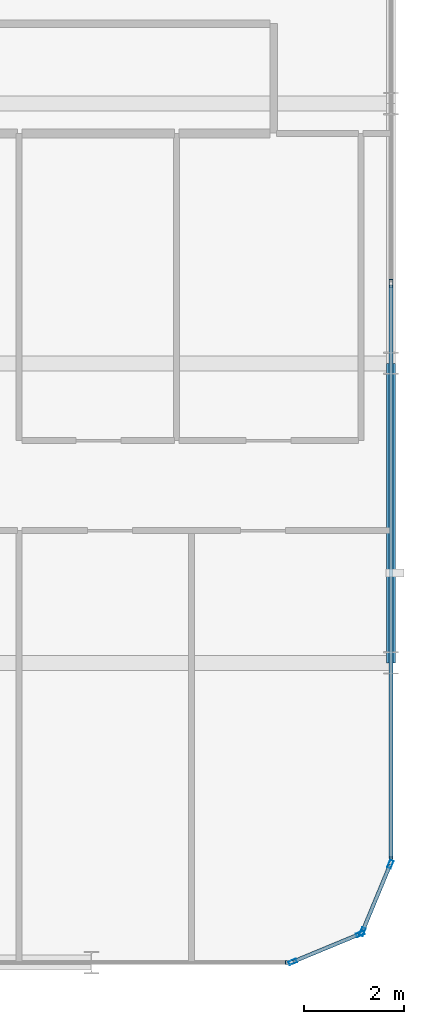
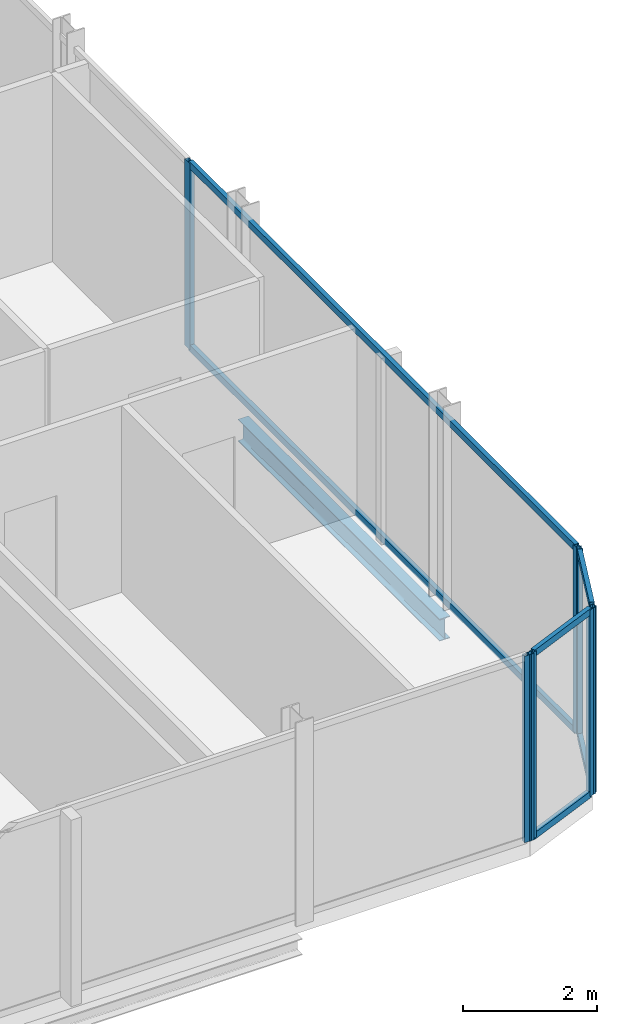
# One storey, part 12 of 29: 13 members, 1 beam, 4 elements without a shape of their own.
"""IFC4 building model written with IfcOpenShell, lengths in metres."""

from ifc_helpers import new_model, si_unit, direction, frame, origin, origin_2d, place, context, subcontext, project, spatial, hollow_rectangle, i_section, extrude, material, layer, layer_set, material_profile, profile_set, type_object, element, aggregate, save


model = new_model("IFC4")

# Units and contexts
model_context = context("Model", 3, precision=1e-05, world=origin(), true_north=direction((0.0, 1.0)))
body_context = subcontext(model_context, "Body", "Model", "MODEL_VIEW")
ifc_project = project(units=[si_unit("LENGTHUNIT", "METRE"), si_unit("AREAUNIT", "SQUARE_METRE"), si_unit("VOLUMEUNIT", "CUBIC_METRE"), si_unit("PLANEANGLEUNIT", "RADIAN"), si_unit("MASSUNIT", "GRAM", prefix="KILO")], contexts=[model_context])

# Site, building, storey
site_placement = place(None, origin())
site = spatial("IfcSite", under=ifc_project, at=site_placement, CompositionType="ELEMENT")
building_placement = place(site_placement, origin())
building = spatial("IfcBuilding", under=site, at=building_placement, Name="Keshet Zoharim Tower", CompositionType="ELEMENT")
storey_placement = place(building_placement, frame((0.0, 0.0, 172.800048828125)))
storey = spatial("IfcBuildingStorey", under=building, at=storey_placement, Name="L42", CompositionType="ELEMENT", Elevation=172.800048828125)

# Beam
ifc_material_1 = material(Name="Steel S355", Category="steel")
ifc_material_profile_1 = material_profile(ifc_material_1, i_section(OverallWidth=0.179931640625, OverallDepth=0.39990234375, WebThickness=0.008544921875, FlangeThickness=0.013427734375, FilletRadius=0.02099609375, at=origin_2d()), Name="IPE400")
ifc_profile_set_1 = profile_set([ifc_material_profile_1], Name="Steel S355")
beam_type = type_object("IfcBeamType", Name="BM-PRI-IP400", PredefinedType="BEAM", material=ifc_profile_set_1)
beam_placement = place(storey_placement, frame((57.0, 6.699951171875, -0.510009765625), z_axis=(0.0, 1.0, 0.0), x_axis=(-1.0, 0.0, 0.0)))
element("IfcBeam", 1, at=beam_placement, inside=storey, type_object=beam_type, Name="L42 Primary Girder Y-013", PredefinedType="BEAM", context=body_context, shape_type="SweptSolid", body=[
    extrude(i_section(OverallWidth=0.179931640625, OverallDepth=0.39990234375, WebThickness=0.008544921875, FlangeThickness=0.013427734375, FilletRadius=0.02099609375, at=origin_2d()), origin(), (0.0, 0.0, 1.0), 6.0),
])

# Curtain wall, members
ifc_material_2 = material(Name="Aluminium 6063-T6", Category="aluminium")
ifc_layer = layer(ifc_material_2, 0.139892578125)
ifc_layer_set = layer_set([ifc_layer], Name="Aluminium 6063-T6")
curtain_wall_type = type_object("IfcCurtainWallType", Name="CW-SYS-05", PredefinedType="NOTDEFINED", material=ifc_layer_set)
curtain_wall_1_placement = place(storey_placement, origin())
curtain_wall_1 = element("IfcCurtainWall", 2, at=curtain_wall_1_placement, inside=storey, type_object=curtain_wall_type, Name="L42 Unitised Curtain Wall 03", PredefinedType="NOTDEFINED")
ifc_material_profile_2 = material_profile(ifc_material_2, hollow_rectangle(XDim=0.074951171875, YDim=0.159912109375, WallThickness=0.00390625, at=origin_2d()), Name="MUL-75x160")
ifc_profile_set_2 = profile_set([ifc_material_profile_2], Name="Aluminium 6063-T6")
member_type_1 = type_object("IfcMemberType", Name="CWM-M15", PredefinedType="MULLION", material=ifc_profile_set_2)
member_1_placement = place(storey_placement, frame((57.0, 14.300048828125, 0.0), z_axis=(0.0, 0.0, 1.0), x_axis=(1.0, 0.0, 0.0)))
member_1 = element("IfcMember", 3, at=member_1_placement, type_object=member_type_1, Name="CW-05 mullion 2", PredefinedType="MULLION", context=body_context, shape_type="SweptSolid", body=[
    extrude(hollow_rectangle(XDim=0.074951171875, YDim=0.159912109375, WallThickness=0.00390625, at=origin_2d()), origin(), (0.0, 0.0, 1.0), 3.389892578125),
])
member_2_placement = place(storey_placement, frame((57.0, 2.735107421875, 0.0), z_axis=(0.0, 0.0, 1.0), x_axis=(1.0, 0.0, 0.0)))
member_2 = element("IfcMember", 4, at=member_2_placement, type_object=member_type_1, Name="CW-05 mullion 3", PredefinedType="MULLION", context=body_context, shape_type="SweptSolid", body=[
    extrude(hollow_rectangle(XDim=0.074951171875, YDim=0.159912109375, WallThickness=0.00390625, at=origin_2d()), origin(), (0.0, 0.0, 1.0), 3.389892578125),
])

curtain_wall_2_placement = place(storey_placement, origin())
curtain_wall_2 = element("IfcCurtainWall", 5, at=curtain_wall_2_placement, inside=storey, type_object=curtain_wall_type, Name="L42 Unitised Curtain Wall 04", PredefinedType="NOTDEFINED")
member_3_placement = place(storey_placement, frame((56.986572265625, 2.667724609375, 0.0), z_axis=(0.0, 0.0, 1.0), x_axis=(0.92380975372, -0.382851849847, 0.0)))
member_3 = element("IfcMember", 6, at=member_3_placement, type_object=member_type_1, Name="CW-05 mullion 1", PredefinedType="MULLION", context=body_context, shape_type="SweptSolid", body=[
    extrude(hollow_rectangle(XDim=0.074951171875, YDim=0.159912109375, WallThickness=0.00390625, at=origin_2d()), origin(), (0.0, 0.0, 1.0), 3.389892578125),
])
member_4_placement = place(storey_placement, frame((56.427490234375, 1.318359375, 0.0), z_axis=(0.0, 0.0, 1.0), x_axis=(0.92380975372, -0.382851849847, 0.0)))
member_4 = element("IfcMember", 7, at=member_4_placement, type_object=member_type_1, Name="CW-05 mullion 2", PredefinedType="MULLION", context=body_context, shape_type="SweptSolid", body=[
    extrude(hollow_rectangle(XDim=0.074951171875, YDim=0.159912109375, WallThickness=0.00390625, at=origin_2d()), origin(), (0.0, 0.0, 1.0), 3.389892578125),
])

curtain_wall_3_placement = place(storey_placement, origin())
curtain_wall_3 = element("IfcCurtainWall", 8, at=curtain_wall_3_placement, inside=storey, type_object=curtain_wall_type, Name="L42 Unitised Curtain Wall 05", PredefinedType="NOTDEFINED")
member_5_placement = place(storey_placement, frame((56.381591796875, 1.272705078125, 0.0), z_axis=(0.0, 0.0, 1.0), x_axis=(0.382851849847, -0.92380975372, 0.0)))
member_5 = element("IfcMember", 9, at=member_5_placement, type_object=member_type_1, Name="CW-05 mullion 1", PredefinedType="MULLION", context=body_context, shape_type="SweptSolid", body=[
    extrude(hollow_rectangle(XDim=0.074951171875, YDim=0.159912109375, WallThickness=0.00390625, at=origin_2d()), origin(), (0.0, 0.0, 1.0), 3.389892578125),
])
member_6_placement = place(storey_placement, frame((55.0322265625, 0.71337890625, 0.0), z_axis=(0.0, 0.0, 1.0), x_axis=(0.382851849847, -0.92380975372, 0.0)))
member_6 = element("IfcMember", 10, at=member_6_placement, type_object=member_type_1, Name="CW-05 mullion 2", PredefinedType="MULLION", context=body_context, shape_type="SweptSolid", body=[
    extrude(hollow_rectangle(XDim=0.074951171875, YDim=0.159912109375, WallThickness=0.00390625, at=origin_2d()), origin(), (0.0, 0.0, 1.0), 3.389892578125),
])

# Curtain wall, member
curtain_wall_4_placement = place(storey_placement, origin())
curtain_wall_4 = element("IfcCurtainWall", 11, at=curtain_wall_4_placement, inside=storey, type_object=curtain_wall_type, Name="L42 Unitised Curtain Wall 06", PredefinedType="NOTDEFINED")
member_7_placement = place(storey_placement, frame((54.965087890625, 0.699951171875, 0.0), z_axis=(0.0, 0.0, 1.0), x_axis=(0.0, -1.0, 0.0)))
member_7 = element("IfcMember", 12, at=member_7_placement, type_object=member_type_1, Name="CW-05 mullion 1", PredefinedType="MULLION", context=body_context, shape_type="SweptSolid", body=[
    extrude(hollow_rectangle(XDim=0.074951171875, YDim=0.159912109375, WallThickness=0.00390625, at=origin_2d()), origin(), (0.0, 0.0, 1.0), 3.389892578125),
])
aggregate(curtain_wall_4, [member_7])

# Member
ifc_material_profile_3 = material_profile(ifc_material_2, hollow_rectangle(XDim=0.074951171875, YDim=0.1201171875, WallThickness=0.00390625, at=origin_2d()), Name="TRN-75x120")
ifc_profile_set_3 = profile_set([ifc_material_profile_3], Name="Aluminium 6063-T6")
member_type_2 = type_object("IfcMemberType", Name="CWT-T12", PredefinedType="USERDEFINED", material=ifc_profile_set_3)
member_8_placement = place(storey_placement, frame((57.0, 14.264892578125, 0.034912109375), z_axis=(0.0, -1.0, 0.0), x_axis=(1.0, 0.0, 0.0)))
member_8 = element("IfcMember", 13, at=member_8_placement, type_object=member_type_2, Name="CW-05 transom 2.1", ObjectType="TRANSOM", PredefinedType="USERDEFINED", context=body_context, shape_type="SweptSolid", body=[
    extrude(hollow_rectangle(XDim=0.074951171875, YDim=0.1201171875, WallThickness=0.00390625, at=origin_2d()), origin(), (0.0, 0.0, 1.0), 11.494873046875),
])

member_9_placement = place(storey_placement, frame((57.0, 14.264892578125, 3.35498046875), z_axis=(0.0, -1.0, 0.0), x_axis=(1.0, 0.0, 0.0)))
member_9 = element("IfcMember", 14, at=member_9_placement, type_object=member_type_2, Name="CW-05 transom 2.2", ObjectType="TRANSOM", PredefinedType="USERDEFINED", context=body_context, shape_type="SweptSolid", body=[
    extrude(hollow_rectangle(XDim=0.074951171875, YDim=0.1201171875, WallThickness=0.00390625, at=origin_2d()), origin(), (0.0, 0.0, 1.0), 11.494873046875),
])

aggregate(curtain_wall_1, [member_1, member_2, member_8, member_9])

member_10_placement = place(storey_placement, frame((56.97314453125, 2.63525390625, 0.034912109375), z_axis=(-0.382744609247, -0.923854189844, 0.0), x_axis=(0.923854189844, -0.382744609247, 0.0)))
member_10 = element("IfcMember", 15, at=member_10_placement, type_object=member_type_2, Name="CW-05 transom 1.1", ObjectType="TRANSOM", PredefinedType="USERDEFINED", context=body_context, shape_type="SweptSolid", body=[
    extrude(hollow_rectangle(XDim=0.074951171875, YDim=0.1201171875, WallThickness=0.00390625, at=origin_2d()), origin(), (0.0, 0.0, 1.0), 1.390625),
])

member_11_placement = place(storey_placement, frame((56.97314453125, 2.63525390625, 3.35498046875), z_axis=(-0.382744609247, -0.923854189844, 0.0), x_axis=(0.923854189844, -0.382744609247, 0.0)))
member_11 = element("IfcMember", 16, at=member_11_placement, type_object=member_type_2, Name="CW-05 transom 1.2", ObjectType="TRANSOM", PredefinedType="USERDEFINED", context=body_context, shape_type="SweptSolid", body=[
    extrude(hollow_rectangle(XDim=0.074951171875, YDim=0.1201171875, WallThickness=0.00390625, at=origin_2d()), origin(), (0.0, 0.0, 1.0), 1.390625),
])

aggregate(curtain_wall_2, [member_3, member_4, member_10, member_11])

member_12_placement = place(storey_placement, frame((56.349365234375, 1.25927734375, 0.034912109375), z_axis=(-0.92379209995, -0.382894445076, 0.0), x_axis=(0.382894445076, -0.92379209995, 0.0)))
member_12 = element("IfcMember", 17, at=member_12_placement, type_object=member_type_2, Name="CW-05 transom 1.1", ObjectType="TRANSOM", PredefinedType="USERDEFINED", context=body_context, shape_type="SweptSolid", body=[
    extrude(hollow_rectangle(XDim=0.074951171875, YDim=0.1201171875, WallThickness=0.00390625, at=origin_2d()), origin(), (0.0, 0.0, 1.0), 1.390625),
])

member_13_placement = place(storey_placement, frame((56.349365234375, 1.25927734375, 3.35498046875), z_axis=(-0.92379209995, -0.382894445076, 0.0), x_axis=(0.382894445076, -0.92379209995, 0.0)))
member_13 = element("IfcMember", 18, at=member_13_placement, type_object=member_type_2, Name="CW-05 transom 1.2", ObjectType="TRANSOM", PredefinedType="USERDEFINED", context=body_context, shape_type="SweptSolid", body=[
    extrude(hollow_rectangle(XDim=0.074951171875, YDim=0.1201171875, WallThickness=0.00390625, at=origin_2d()), origin(), (0.0, 0.0, 1.0), 1.390625),
])

aggregate(curtain_wall_3, [member_5, member_6, member_12, member_13])

save(model, "model.ifc")
